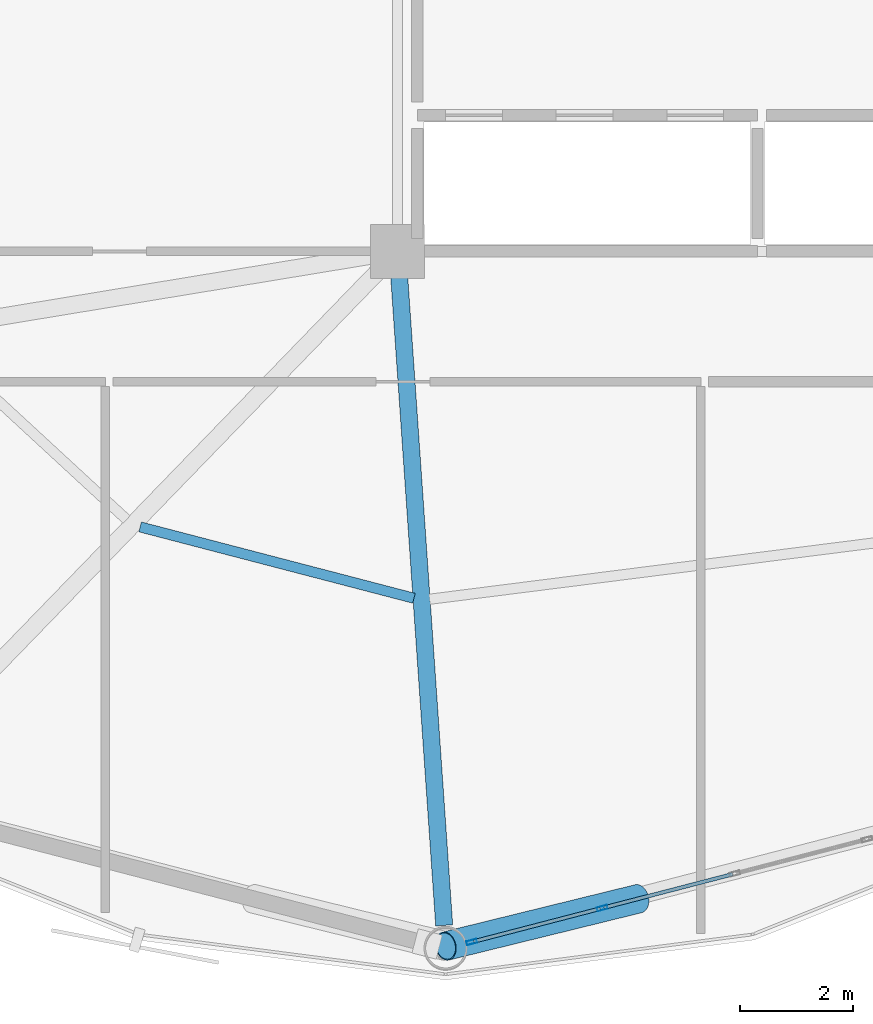
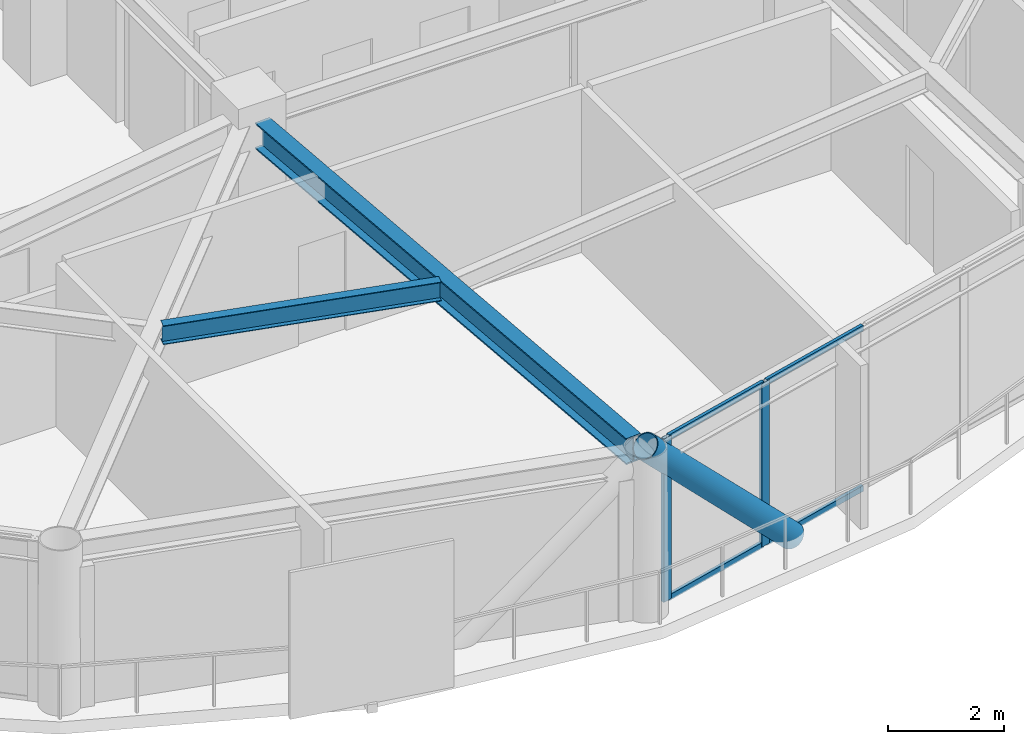
# One storey, part 7 of 26: 7 members, 2 beams, 1 element without a shape of its own.
"""IFC4 building model written with IfcOpenShell, lengths in metres."""

from ifc_helpers import new_model, si_unit, direction, frame, origin, origin_2d, place, context, subcontext, project, spatial, hollow_rectangle, hollow_circle, i_section, extrude, material, layer, layer_set, material_profile, profile_set, type_object, element, aggregate, save


model = new_model("IFC4")

# Units and contexts
model_context = context("Model", 3, precision=1e-05, world=origin(), true_north=direction((0.0, 1.0)))
body_context = subcontext(model_context, "Body", "Model", "MODEL_VIEW")
ifc_project = project(units=[si_unit("LENGTHUNIT", "METRE"), si_unit("AREAUNIT", "SQUARE_METRE"), si_unit("VOLUMEUNIT", "CUBIC_METRE"), si_unit("PLANEANGLEUNIT", "RADIAN"), si_unit("MASSUNIT", "GRAM", prefix="KILO")], contexts=[model_context])

# Site, building, storey
site_placement = place(None, origin())
site = spatial("IfcSite", under=ifc_project, at=site_placement, CompositionType="ELEMENT")
building_placement = place(site_placement, origin())
building = spatial("IfcBuilding", under=site, at=building_placement, Name="Varnakorn Sky Granary", CompositionType="ELEMENT")
storey_placement = place(building_placement, frame((0.0, 0.0, 165.60009765625)))
storey = spatial("IfcBuildingStorey", under=building, at=storey_placement, Name="L41", CompositionType="ELEMENT", Elevation=165.60009765625)

# Beams
ifc_material_1 = material(Name="Steel S355JR", Category="steel")
ifc_material_profile_1 = material_profile(ifc_material_1, i_section(OverallWidth=0.300048828125, OverallDepth=0.550048828125, WebThickness=0.014892578125, FlangeThickness=0.029052734375, at=origin_2d()), Name="HE 550 B")
ifc_profile_set_1 = profile_set([ifc_material_profile_1], Name="Steel S355JR")
beam_type_1 = type_object("IfcBeamType", Name="BM-RAD-Z3", PredefinedType="BEAM", material=ifc_profile_set_1)
beam_1_placement = place(storey_placement, frame((-2.32080078125, -7.01904296875, 3.1748046875), z_axis=(0.069205957709, -0.99760239345, 0.0), x_axis=(0.99760239345, 0.069205957709, 0.0)))
element("IfcBeam", 1, at=beam_1_placement, inside=storey, type_object=beam_type_1, Name="Radial Floor Girder RG10 L41", PredefinedType="BEAM", context=body_context, shape_type="SweptSolid", body=[
    extrude(i_section(OverallWidth=0.300048828125, OverallDepth=0.550048828125, WebThickness=0.014892578125, FlangeThickness=0.029052734375, at=origin_2d()), origin(), (0.0, 0.0, 1.0), 11.493408203125),
])
ifc_material_profile_2 = material_profile(ifc_material_1, i_section(OverallWidth=0.179931640625, OverallDepth=0.39990234375, WebThickness=0.008544921875, FlangeThickness=0.013427734375, at=origin_2d()), Name="IPE 400")
ifc_profile_set_2 = profile_set([ifc_material_profile_2], Name="Steel S355JR")
beam_type_2 = type_object("IfcBeamType", Name="BM-SEC-Z3", PredefinedType="BEAM", material=ifc_profile_set_2)
beam_2_placement = place(storey_placement, frame((-6.886962890625, -11.45849609375, 3.25), z_axis=(0.967679595569, -0.252182870788, 0.0), x_axis=(0.252182870788, 0.967679595569, 0.0)))
element("IfcBeam", 2, at=beam_2_placement, inside=storey, type_object=beam_type_2, Name="Secondary Floor Chord Beam MSB09 L41", PredefinedType="BEAM", context=body_context, shape_type="SweptSolid", body=[
    extrude(i_section(OverallWidth=0.179931640625, OverallDepth=0.39990234375, WebThickness=0.008544921875, FlangeThickness=0.013427734375, at=origin_2d()), origin(), (0.0, 0.0, 1.0), 4.98974609375),
])

# Curtain wall, members
ifc_material_2 = material(Name="Anodised Bronze Aluminium Alloy 6063-T6", Category="aluminium")
ifc_layer = layer(ifc_material_2, 0.179931640625, Name="Anodised Bronze Aluminium Alloy 6063-T6")
ifc_layer_set = layer_set([ifc_layer], Name="Anodised Bronze Aluminium Alloy 6063-T6")
curtain_wall_type = type_object("IfcCurtainWallType", Name="CW-FRM-2", PredefinedType="USERDEFINED", material=ifc_layer_set)
curtain_wall_placement = place(storey_placement, origin())
curtain_wall = element("IfcCurtainWall", 3, at=curtain_wall_placement, inside=storey, type_object=curtain_wall_type, Name="Unitised Curtain Wall CW4 CW-L41-B10", ObjectType="CURTAIN WALL", PredefinedType="USERDEFINED")
ifc_material_profile_3 = material_profile(ifc_material_2, hollow_rectangle(XDim=0.070068359375, YDim=0.18505859375, WallThickness=0.00390625, at=origin_2d()), Name="ALU MULL 70x185")
ifc_profile_set_3 = profile_set([ifc_material_profile_3], Name="Anodised Bronze Aluminium Alloy 6063-T6")
member_type_1 = type_object("IfcMemberType", Name="CW-FRM-2-MULL", PredefinedType="MULLION", material=ifc_profile_set_3)
member_1_placement = place(storey_placement, frame((1.26123046875, -18.180419921875, 0.0), z_axis=(0.0, 0.0, 1.0), x_axis=(0.251563558768, -0.967840780242, 0.0)))
member_1 = element("IfcMember", 4, at=member_1_placement, type_object=member_type_1, Name="CW4 mullion 4", PredefinedType="MULLION", context=body_context, shape_type="SweptSolid", body=[
    extrude(hollow_rectangle(XDim=0.070068359375, YDim=0.18505859375, WallThickness=0.00390625, at=origin_2d()), origin(), (0.0, 0.0, 1.0), 3.449951171875),
])
member_2_placement = place(storey_placement, frame((-1.039306640625, -18.7783203125, 0.0), z_axis=(0.0, 0.0, 1.0), x_axis=(0.251563558768, -0.967840780242, 0.0)))
member_2 = element("IfcMember", 5, at=member_2_placement, type_object=member_type_1, Name="CW4 mullion 5", PredefinedType="MULLION", context=body_context, shape_type="SweptSolid", body=[
    extrude(hollow_rectangle(XDim=0.070068359375, YDim=0.18505859375, WallThickness=0.00390625, at=origin_2d()), origin(), (0.0, 0.0, 1.0), 3.449951171875),
])
ifc_material_profile_4 = material_profile(ifc_material_2, hollow_rectangle(XDim=0.06494140625, YDim=0.1201171875, WallThickness=0.00341796875, at=origin_2d()), Name="ALU TRAN 65x120")
ifc_profile_set_4 = profile_set([ifc_material_profile_4], Name="Anodised Bronze Aluminium Alloy 6063-T6")
member_type_2 = type_object("IfcMemberType", Name="CW-FRM-2-TRAN", PredefinedType="USERDEFINED", material=ifc_profile_set_4)
member_3_placement = place(storey_placement, frame((3.5615234375, -17.58251953125, 0.032470703125), z_axis=(-0.967843829549, -0.251551826874, 0.0), x_axis=(0.251551826874, -0.967843829549, 0.0)))
member_3 = element("IfcMember", 6, at=member_3_placement, type_object=member_type_2, Name="CW4 transom 3.1", ObjectType="TRANSOM", PredefinedType="USERDEFINED", context=body_context, shape_type="SweptSolid", body=[
    extrude(hollow_rectangle(XDim=0.06494140625, YDim=0.1201171875, WallThickness=0.00341796875, at=origin_2d()), origin(), (0.0, 0.0, 1.0), 2.341796875),
])
member_4_placement = place(storey_placement, frame((3.5615234375, -17.58251953125, 3.41748046875), z_axis=(-0.967843829549, -0.251551826874, 0.0), x_axis=(0.251551826874, -0.967843829549, 0.0)))
member_4 = element("IfcMember", 7, at=member_4_placement, type_object=member_type_2, Name="CW4 transom 3.2", ObjectType="TRANSOM", PredefinedType="USERDEFINED", context=body_context, shape_type="SweptSolid", body=[
    extrude(hollow_rectangle(XDim=0.06494140625, YDim=0.1201171875, WallThickness=0.00341796875, at=origin_2d()), origin(), (0.0, 0.0, 1.0), 2.341796875),
])
member_5_placement = place(storey_placement, frame((1.227294921875, -18.189208984375, 0.032470703125), z_axis=(-0.967840546228, -0.251564459091, 0.0), x_axis=(0.251564459091, -0.967840546228, 0.0)))
member_5 = element("IfcMember", 8, at=member_5_placement, type_object=member_type_2, Name="CW4 transom 4.1", ObjectType="TRANSOM", PredefinedType="USERDEFINED", context=body_context, shape_type="SweptSolid", body=[
    extrude(hollow_rectangle(XDim=0.06494140625, YDim=0.1201171875, WallThickness=0.00341796875, at=origin_2d()), origin(), (0.0, 0.0, 1.0), 2.306884765625),
])
member_6_placement = place(storey_placement, frame((1.227294921875, -18.189208984375, 3.41748046875), z_axis=(-0.967840546228, -0.251564459091, 0.0), x_axis=(0.251564459091, -0.967840546228, 0.0)))
member_6 = element("IfcMember", 9, at=member_6_placement, type_object=member_type_2, Name="CW4 transom 4.2", ObjectType="TRANSOM", PredefinedType="USERDEFINED", context=body_context, shape_type="SweptSolid", body=[
    extrude(hollow_rectangle(XDim=0.06494140625, YDim=0.1201171875, WallThickness=0.00341796875, at=origin_2d()), origin(), (0.0, 0.0, 1.0), 2.306884765625),
])
aggregate(curtain_wall, [member_1, member_2, member_3, member_4, member_5, member_6])

# Member
ifc_material_3 = material(Name="Steel S460M", Category="steel")
ifc_material_profile_5 = material_profile(ifc_material_3, hollow_circle(Radius=0.25390625, WallThickness=0.01806640625, at=origin_2d()), Name="CHS 508x18")
ifc_profile_set_5 = profile_set([ifc_material_profile_5], Name="Steel S460M")
member_type_3 = type_object("IfcMemberType", Name="MB-DIAG-T2", PredefinedType="BRACE", material=ifc_profile_set_5)
member_7_placement = place(storey_placement, frame((1.89697265625, -18.01513671875, -0.130126953125), z_axis=(-0.678668169832, -0.166813651058, 0.715250110854), x_axis=(0.238691018718, -0.971095565628, 0.0)))
element("IfcMember", 10, at=member_7_placement, inside=storey, type_object=member_type_3, Name="Perimeter CHS Diagrid Brace DG10 L41", PredefinedType="BRACE", context=body_context, shape_type="SweptSolid", body=[
    extrude(hollow_circle(Radius=0.25390625, WallThickness=0.01806640625, at=origin_2d()), origin(), (0.0, 0.0, 1.0), 5.00537109375),
])

save(model, "model.ifc")
